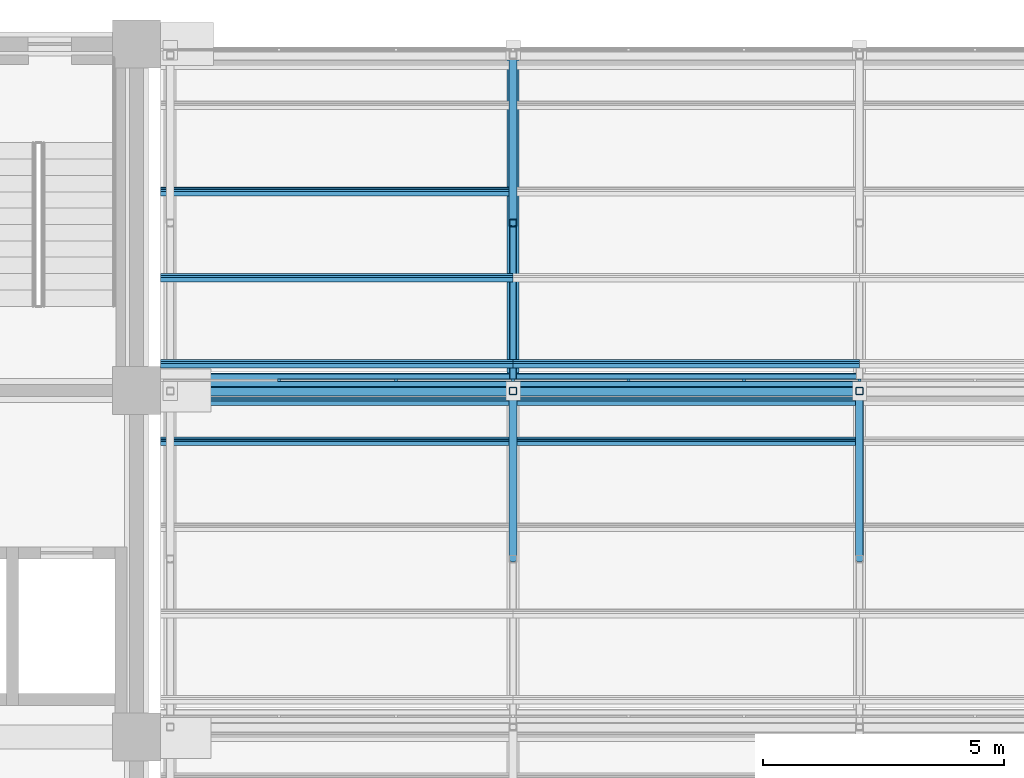
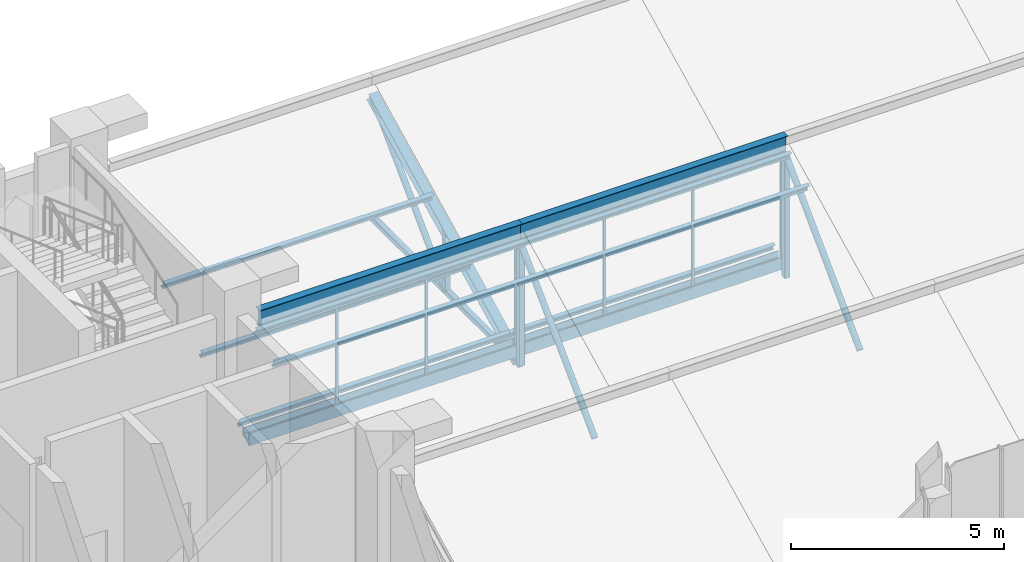
# One storey, part 37 of 83: 31 members, 3 elements without a shape of their own.
"""IFC4 building model written with IfcOpenShell, lengths in metres."""

from ifc_helpers import new_model, si_unit, direction, frame, origin, origin_2d, place, context, subcontext, project, spatial, polyline, rectangle, hollow_rectangle, hollow_circle, i_section, outline, extrude, material, material_profile, profile_set, type_object, element, aggregate, save


model = new_model("IFC4")

# Units and contexts
model_context = context("Model", 3, precision=1e-05, world=origin(), true_north=direction((0.0, 1.0)))
body_context = subcontext(model_context, "Body", "Model", "MODEL_VIEW")
ifc_project = project(units=[si_unit("LENGTHUNIT", "METRE"), si_unit("AREAUNIT", "SQUARE_METRE"), si_unit("VOLUMEUNIT", "CUBIC_METRE"), si_unit("PLANEANGLEUNIT", "RADIAN"), si_unit("MASSUNIT", "GRAM", prefix="KILO")], contexts=[model_context])

# Site, building, storey
site_placement = place(None, origin())
site = spatial("IfcSite", under=ifc_project, at=site_placement, CompositionType="ELEMENT")
building_placement = place(site_placement, origin())
building = spatial("IfcBuilding", under=site, at=building_placement, Name="Silangan Lancet Faculty of Sciences", CompositionType="ELEMENT")
storey_placement = place(building_placement, frame((0.0, 0.0, 11.39990234375)))
storey = spatial("IfcBuildingStorey", under=building, at=storey_placement, Name="L02", CompositionType="ELEMENT", Elevation=11.39990234375)

# Members
ifc_material_1 = material(Name="Steel SS400", Category="steel")
ifc_material_profile_1 = material_profile(ifc_material_1, i_section(OverallWidth=0.199951171875, OverallDepth=0.5, WebThickness=0.010009765625, FlangeThickness=0.01611328125, FilletRadius=0.02001953125, at=origin_2d()), Name="H 500x200x10x16")
ifc_profile_set_1 = profile_set([ifc_material_profile_1], Name="Steel SS400")
member_type_1 = type_object("IfcMemberType", Name="Exposed ridge beam H 500x200x10x16", PredefinedType="MEMBER", material=ifc_profile_set_1)
member_1_placement = place(storey_placement, frame((29.5, 50.38818359375, 3.942626953125), z_axis=(1.0, 0.0, 0.0), x_axis=(0.0, 1.0, 0.0)))
element("IfcMember", 1, at=member_1_placement, inside=storey, type_object=member_type_1, Name="Exposed ridge beam NAB-2-1", PredefinedType="MEMBER", context=body_context, shape_type="SweptSolid", body=[
    extrude(i_section(OverallWidth=0.199951171875, OverallDepth=0.5, WebThickness=0.010009765625, FlangeThickness=0.01611328125, FilletRadius=0.02001953125, at=origin_2d()), origin(), (0.0, 0.0, 1.0), 7.125),
])
member_2_placement = place(storey_placement, frame((36.625, 50.38818359375, 3.942626953125), z_axis=(1.0, 0.0, 0.0), x_axis=(0.0, 1.0, 0.0)))
element("IfcMember", 2, at=member_2_placement, inside=storey, type_object=member_type_1, Name="Exposed ridge beam NAB-2-2", PredefinedType="MEMBER", context=body_context, shape_type="SweptSolid", body=[
    extrude(i_section(OverallWidth=0.199951171875, OverallDepth=0.5, WebThickness=0.010009765625, FlangeThickness=0.01611328125, FilletRadius=0.02001953125, at=origin_2d()), origin(), (0.0, 0.0, 1.0), 7.199951171875),
])

# Curtain wall, members
ifc_material_2 = material(Name="Aluminium and laminated glass", Category="aluminium")
curtain_wall_type = type_object("IfcCurtainWallType", Name="North light glazing system", PredefinedType="NOTDEFINED", material=ifc_material_2)
curtain_wall_1_placement = place(storey_placement, origin())
curtain_wall_1 = element("IfcCurtainWall", 3, at=curtain_wall_1_placement, inside=storey, type_object=curtain_wall_type, Name="North light glazing NAB-2-1", PredefinedType="NOTDEFINED")
ifc_material_3 = material(Name="Aluminium 6063-T6", Category="aluminium")
ifc_material_profile_2 = material_profile(ifc_material_3, rectangle(XDim=0.06005859375, YDim=0.050048828125, at=origin_2d()), Name="AL 60x50")
ifc_profile_set_2 = profile_set([ifc_material_profile_2], Name="Aluminium 6063-T6")
member_type_2 = type_object("IfcMemberType", Name="North light mullion 60x50", PredefinedType="MULLION", material=ifc_profile_set_2)
member_3_placement = place(storey_placement, frame((31.76171875, 50.61328125, 0.4423828125), z_axis=(0.0, 0.0, 1.0), x_axis=(1.0, 0.0, 0.0)))
member_3 = element("IfcMember", 4, at=member_3_placement, type_object=member_type_2, Name="North light mullion NAB-2-1 2", PredefinedType="MULLION", context=body_context, shape_type="SweptSolid", body=[
    extrude(rectangle(XDim=0.06005859375, YDim=0.050048828125, at=origin_2d()), origin(), (0.0, 0.0, 1.0), 3.60595703125),
])
member_4_placement = place(storey_placement, frame((34.193359375, 50.61328125, 0.4423828125), z_axis=(0.0, 0.0, 1.0), x_axis=(1.0, 0.0, 0.0)))
member_4 = element("IfcMember", 5, at=member_4_placement, type_object=member_type_2, Name="North light mullion NAB-2-1 3", PredefinedType="MULLION", context=body_context, shape_type="SweptSolid", body=[
    extrude(rectangle(XDim=0.06005859375, YDim=0.050048828125, at=origin_2d()), origin(), (0.0, 0.0, 1.0), 3.60595703125),
])

curtain_wall_2_placement = place(storey_placement, origin())
curtain_wall_2 = element("IfcCurtainWall", 6, at=curtain_wall_2_placement, inside=storey, type_object=curtain_wall_type, Name="North light glazing NAB-2-2", PredefinedType="NOTDEFINED")
member_5_placement = place(storey_placement, frame((36.625, 50.61328125, 0.4423828125), z_axis=(0.0, 0.0, 1.0), x_axis=(1.0, 0.0, 0.0)))
member_5 = element("IfcMember", 7, at=member_5_placement, type_object=member_type_2, Name="North light mullion NAB-2-2 1", PredefinedType="MULLION", context=body_context, shape_type="SweptSolid", body=[
    extrude(rectangle(XDim=0.06005859375, YDim=0.050048828125, at=origin_2d()), origin(), (0.0, 0.0, 1.0), 3.60595703125),
])
member_6_placement = place(storey_placement, frame((39.02490234375, 50.61328125, 0.4423828125), z_axis=(0.0, 0.0, 1.0), x_axis=(1.0, 0.0, 0.0)))
member_6 = element("IfcMember", 8, at=member_6_placement, type_object=member_type_2, Name="North light mullion NAB-2-2 2", PredefinedType="MULLION", context=body_context, shape_type="SweptSolid", body=[
    extrude(rectangle(XDim=0.06005859375, YDim=0.050048828125, at=origin_2d()), origin(), (0.0, 0.0, 1.0), 3.60595703125),
])
member_7_placement = place(storey_placement, frame((41.425048828125, 50.61328125, 0.4423828125), z_axis=(0.0, 0.0, 1.0), x_axis=(1.0, 0.0, 0.0)))
member_7 = element("IfcMember", 9, at=member_7_placement, type_object=member_type_2, Name="North light mullion NAB-2-2 3", PredefinedType="MULLION", context=body_context, shape_type="SweptSolid", body=[
    extrude(rectangle(XDim=0.06005859375, YDim=0.050048828125, at=origin_2d()), origin(), (0.0, 0.0, 1.0), 3.60595703125),
])

# Curtain wall, member
curtain_wall_3_placement = place(storey_placement, origin())
curtain_wall_3 = element("IfcCurtainWall", 10, at=curtain_wall_3_placement, inside=storey, type_object=curtain_wall_type, Name="North light glazing NAB-2-3", PredefinedType="NOTDEFINED")
member_8_placement = place(storey_placement, frame((43.824951171875, 50.61328125, 0.4423828125), z_axis=(0.0, 0.0, 1.0), x_axis=(1.0, 0.0, 0.0)))
member_8 = element("IfcMember", 11, at=member_8_placement, type_object=member_type_2, Name="North light mullion NAB-2-3 1", PredefinedType="MULLION", context=body_context, shape_type="SweptSolid", body=[
    extrude(rectangle(XDim=0.06005859375, YDim=0.050048828125, at=origin_2d()), origin(), (0.0, 0.0, 1.0), 3.60595703125),
])
aggregate(curtain_wall_3, [member_8])

# Member
ifc_material_4 = material(Name="Aluminium 6063-T6", Category="aluminium")
ifc_material_profile_3 = material_profile(ifc_material_4, rectangle(XDim=0.050048828125, YDim=0.06005859375, at=origin_2d()), Name="AL 50x60")
ifc_profile_set_3 = profile_set([ifc_material_profile_3], Name="Aluminium 6063-T6")
member_type_3 = type_object("IfcMemberType", Name="North light transom 50x60", PredefinedType="USERDEFINED", material=ifc_profile_set_3)
member_9_placement = place(storey_placement, frame((31.791748046875, 50.61328125, 2.245361328125), z_axis=(1.0, 0.0, 0.0), x_axis=(0.0, 1.0, 0.0)))
member_9 = element("IfcMember", 12, at=member_9_placement, type_object=member_type_3, Name="North light transom NAB-2-1 2", ObjectType="TRANSOM", PredefinedType="USERDEFINED", context=body_context, shape_type="SweptSolid", body=[
    extrude(rectangle(XDim=0.050048828125, YDim=0.06005859375, at=origin_2d()), origin(), (0.0, 0.0, 1.0), 2.37158203125),
])

member_10_placement = place(storey_placement, frame((34.223388671875, 50.61328125, 2.245361328125), z_axis=(1.0, 0.0, 0.0), x_axis=(0.0, 1.0, 0.0)))
member_10 = element("IfcMember", 13, at=member_10_placement, type_object=member_type_3, Name="North light transom NAB-2-1 3", ObjectType="TRANSOM", PredefinedType="USERDEFINED", context=body_context, shape_type="SweptSolid", body=[
    extrude(rectangle(XDim=0.050048828125, YDim=0.06005859375, at=origin_2d()), origin(), (0.0, 0.0, 1.0), 2.37158203125),
])

aggregate(curtain_wall_1, [member_3, member_4, member_9, member_10])

member_11_placement = place(storey_placement, frame((36.655029296875, 50.61328125, 2.245361328125), z_axis=(1.0, 0.0, 0.0), x_axis=(0.0, 1.0, 0.0)))
member_11 = element("IfcMember", 14, at=member_11_placement, type_object=member_type_3, Name="North light transom NAB-2-2 1", ObjectType="TRANSOM", PredefinedType="USERDEFINED", context=body_context, shape_type="SweptSolid", body=[
    extrude(rectangle(XDim=0.050048828125, YDim=0.06005859375, at=origin_2d()), origin(), (0.0, 0.0, 1.0), 2.340087890625),
])

member_12_placement = place(storey_placement, frame((39.054931640625, 50.61328125, 2.245361328125), z_axis=(1.0, 0.0, 0.0), x_axis=(0.0, 1.0, 0.0)))
member_12 = element("IfcMember", 15, at=member_12_placement, type_object=member_type_3, Name="North light transom NAB-2-2 2", ObjectType="TRANSOM", PredefinedType="USERDEFINED", context=body_context, shape_type="SweptSolid", body=[
    extrude(rectangle(XDim=0.050048828125, YDim=0.06005859375, at=origin_2d()), origin(), (0.0, 0.0, 1.0), 2.340087890625),
])

member_13_placement = place(storey_placement, frame((41.455078125, 50.61328125, 2.245361328125), z_axis=(1.0, 0.0, 0.0), x_axis=(0.0, 1.0, 0.0)))
member_13 = element("IfcMember", 16, at=member_13_placement, type_object=member_type_3, Name="North light transom NAB-2-2 3", ObjectType="TRANSOM", PredefinedType="USERDEFINED", context=body_context, shape_type="SweptSolid", body=[
    extrude(rectangle(XDim=0.050048828125, YDim=0.06005859375, at=origin_2d()), origin(), (0.0, 0.0, 1.0), 2.33984375),
])

aggregate(curtain_wall_2, [member_5, member_6, member_7, member_11, member_12, member_13])

# Members
ifc_material_5 = material(Name="Steel SS400", Category="steel")
ifc_material_profile_4 = material_profile(ifc_material_5, i_section(OverallWidth=0.10009765625, OverallDepth=0.199951171875, WebThickness=0.005615234375, FlangeThickness=0.008056640625, FilletRadius=0.008056640625, at=origin_2d()), Name="H 200x100x5.5x8")
ifc_profile_set_4 = profile_set([ifc_material_profile_4], Name="Steel SS400")
member_type_4 = type_object("IfcMemberType", Name="Sheeting purlin H 200x100x5.5x8", PredefinedType="PURLIN", material=ifc_profile_set_4)
for number, where, z_axis, x_axis, name in (
    (17, (29.300048828125, 49.343505859375, 3.31494140625), (1.0, 0.0, 0.0), (0.0, 0.894427192382, 0.447213592736), "Sheeting purlin NAB-2-1 4"),
    (18, (29.300048828125, 50.180419921875, 3.7333984375), (1.0, 0.0, 0.0), (0.0, 0.894427192382, 0.447213592736), "Sheeting purlin NAB-2-1 5"),
    (19, (29.300048828125, 50.95849609375, 0.6318359375), (1.0, 0.0, 0.0), (0.0, 0.894427192382, 0.447213592736), "Sheeting purlin NAB-3-1 1"),
    (20, (29.300048828125, 52.747314453125, 1.526123046875), (1.0, 0.0, 0.0), (0.0, 0.894427192382, 0.447213592736), "Sheeting purlin NAB-3-1 2"),
    (21, (29.300048828125, 54.5361328125, 2.420654296875), (1.0, 0.0, 0.0), (0.0, 0.894427192382, 0.447213592736), "Sheeting purlin NAB-3-1 3"),
):
    element("IfcMember", number, at=place(storey_placement, frame(where, z_axis=z_axis, x_axis=x_axis)), inside=storey, type_object=member_type_4, Name=name, PredefinedType="PURLIN", context=body_context, shape_type="SweptSolid", body=[
        extrude(i_section(OverallWidth=0.10009765625, OverallDepth=0.199951171875, WebThickness=0.005615234375, FlangeThickness=0.008056640625, FilletRadius=0.008056640625, at=origin_2d()), origin(), (0.0, 0.0, 1.0), 7.324951171875),
    ])
for number, where, z_axis, x_axis, name in (
    (22, (36.625, 49.343505859375, 3.31494140625), (1.0, 0.0, 0.0), (0.0, 0.894427192382, 0.447213592736), "Sheeting purlin NAB-2-2 4"),
    (23, (36.625, 50.180419921875, 3.7333984375), (1.0, 0.0, 0.0), (0.0, 0.894427192382, 0.447213592736), "Sheeting purlin NAB-2-2 5"),
    (24, (36.625, 50.95849609375, 0.6318359375), (1.0, 0.0, 0.0), (0.0, 0.894427192382, 0.447213592736), "Sheeting purlin NAB-3-2 1"),
):
    element("IfcMember", number, at=place(storey_placement, frame(where, z_axis=z_axis, x_axis=x_axis)), inside=storey, type_object=member_type_4, Name=name, PredefinedType="PURLIN", context=body_context, shape_type="SweptSolid", body=[
        extrude(i_section(OverallWidth=0.10009765625, OverallDepth=0.199951171875, WebThickness=0.005615234375, FlangeThickness=0.008056640625, FilletRadius=0.008056640625, at=origin_2d()), origin(), (0.0, 0.0, 1.0), 7.199951171875),
    ])
ifc_material_6 = material(Name="Steel STKR400", Category="steel")
ifc_material_profile_5 = material_profile(ifc_material_6, hollow_rectangle(XDim=0.14990234375, YDim=0.14990234375, WallThickness=0.009033203125, InnerFilletRadius=0.009033203125, OuterFilletRadius=0.01806640625, at=origin_2d()), Name="SHS 150x150x9.0")
ifc_profile_set_5 = profile_set([ifc_material_profile_5], Name="Steel STKR400")
member_type_5 = type_object("IfcMemberType", Name="Truss bottom chord SHS 150x150x9.0", PredefinedType="CHORD", material=ifc_profile_set_5)
member_14_placement = place(storey_placement, frame((36.625, 50.38818359375, 0.09521484375), z_axis=(0.0, 1.0, 0.0), x_axis=(-1.0, 0.0, 0.0)))
element("IfcMember", 25, at=member_14_placement, inside=storey, type_object=member_type_5, Name="Truss 2 bottom chord 3", PredefinedType="CHORD", context=body_context, shape_type="SweptSolid", body=[
    extrude(hollow_rectangle(XDim=0.14990234375, YDim=0.14990234375, WallThickness=0.009033203125, InnerFilletRadius=0.009033203125, OuterFilletRadius=0.01806640625, at=origin_2d()), origin(), (0.0, 0.0, 1.0), 6.98193359375),
])
ifc_material_7 = material(Name="Steel STK400", Category="steel")
ifc_material_profile_6 = material_profile(ifc_material_7, hollow_circle(Radius=0.08251953125, WallThickness=0.0048828125, at=origin_2d()), Name="CHS 165.2x5.0")
ifc_profile_set_6 = profile_set([ifc_material_profile_6], Name="Steel STK400")
member_type_6 = type_object("IfcMemberType", Name="Truss diagonal CHS 165.2x5.0", PredefinedType="BRACE", material=ifc_profile_set_6)
member_15_placement = place(storey_placement, frame((36.625, 46.8974609375, 0.09521484375), z_axis=(0.0, 0.707106781187, 0.707106781187), x_axis=(-1.0, 0.0, 0.0)))
element("IfcMember", 26, at=member_15_placement, inside=storey, type_object=member_type_6, Name="Truss 2 diagonal 2", PredefinedType="BRACE", context=body_context, shape_type="SweptSolid", body=[
    extrude(hollow_circle(Radius=0.08251953125, WallThickness=0.0048828125, at=origin_2d()), origin(), (0.0, 0.0, 1.0), 4.9365234375),
])
member_16_placement = place(storey_placement, frame((36.625, 53.879150390625, 0.09521484375), z_axis=(0.0, 0.707131507361, 0.707082054147), x_axis=(-1.0, 0.0, 0.0)))
element("IfcMember", 27, at=member_16_placement, inside=storey, type_object=member_type_6, Name="Truss 2 diagonal 3", PredefinedType="BRACE", context=body_context, shape_type="SweptSolid", body=[
    extrude(hollow_circle(Radius=0.08251953125, WallThickness=0.0048828125, at=origin_2d()), origin(), (0.0, 0.0, 1.0), 4.936767578125),
])
member_17_placement = place(storey_placement, frame((43.824951171875, 46.8974609375, 0.09521484375), z_axis=(0.0, 0.707106781187, 0.707106781187), x_axis=(-1.0, 0.0, 0.0)))
element("IfcMember", 28, at=member_17_placement, inside=storey, type_object=member_type_6, Name="Truss 3 diagonal 2", PredefinedType="BRACE", context=body_context, shape_type="SweptSolid", body=[
    extrude(hollow_circle(Radius=0.08251953125, WallThickness=0.0048828125, at=origin_2d()), origin(), (0.0, 0.0, 1.0), 4.9365234375),
])
ifc_material_8 = material(Name="Steel STKR400", Category="steel")
ifc_material_profile_7 = material_profile(ifc_material_8, hollow_rectangle(XDim=0.14990234375, YDim=0.14990234375, WallThickness=0.006103515625, InnerFilletRadius=0.006103515625, OuterFilletRadius=0.011962890625, at=origin_2d()), Name="SHS 150x150x6.0")
ifc_profile_set_7 = profile_set([ifc_material_profile_7], Name="Steel STKR400")
member_type_7 = type_object("IfcMemberType", Name="Truss post SHS 150x150x6.0", PredefinedType="POST", material=ifc_profile_set_7)
member_18_placement = place(storey_placement, frame((36.625, 50.38818359375, 0.09521484375), z_axis=(0.0, 0.0, 1.0), x_axis=(1.0, 0.0, 0.0)))
element("IfcMember", 29, at=member_18_placement, inside=storey, type_object=member_type_7, Name="Truss 2 riser post 2", PredefinedType="POST", context=body_context, shape_type="SweptSolid", body=[
    extrude(hollow_rectangle(XDim=0.14990234375, YDim=0.14990234375, WallThickness=0.006103515625, InnerFilletRadius=0.006103515625, OuterFilletRadius=0.011962890625, at=origin_2d()), origin(), (0.0, 0.0, 1.0), 3.49072265625),
])
member_19_placement = place(storey_placement, frame((36.625, 53.879150390625, 0.09521484375), z_axis=(0.0, 0.0, 1.0), x_axis=(1.0, 0.0, 0.0)))
element("IfcMember", 30, at=member_19_placement, inside=storey, type_object=member_type_7, Name="Truss 2 mid post 3", PredefinedType="POST", context=body_context, shape_type="SweptSolid", body=[
    extrude(hollow_rectangle(XDim=0.14990234375, YDim=0.14990234375, WallThickness=0.006103515625, InnerFilletRadius=0.006103515625, OuterFilletRadius=0.011962890625, at=origin_2d()), origin(), (0.0, 0.0, 1.0), 1.745361328125),
])
member_20_placement = place(storey_placement, frame((43.824951171875, 50.38818359375, 0.09521484375), z_axis=(0.0, 0.0, 1.0), x_axis=(1.0, 0.0, 0.0)))
element("IfcMember", 31, at=member_20_placement, inside=storey, type_object=member_type_7, Name="Truss 3 riser post 2", PredefinedType="POST", context=body_context, shape_type="SweptSolid", body=[
    extrude(hollow_rectangle(XDim=0.14990234375, YDim=0.14990234375, WallThickness=0.006103515625, InnerFilletRadius=0.006103515625, OuterFilletRadius=0.011962890625, at=origin_2d()), origin(), (0.0, 0.0, 1.0), 3.49072265625),
])
ifc_material_9 = material(Name="Steel SS400", Category="steel")
ifc_material_profile_8 = material_profile(ifc_material_9, i_section(OverallWidth=0.25, OverallDepth=0.25, WebThickness=0.009033203125, FlangeThickness=0.013916015625, FilletRadius=0.01611328125, at=origin_2d()), Name="H 250x250x9x14")
ifc_profile_set_8 = profile_set([ifc_material_profile_8], Name="Steel SS400")
member_type_8 = type_object("IfcMemberType", Name="Truss top chord H 250x250x9x14", PredefinedType="CHORD", material=ifc_profile_set_8)
member_21_placement = place(storey_placement, frame((36.625, 50.46875, 0.13525390625), z_axis=(0.0, 0.894427191, 0.4472135955), x_axis=(-1.0, 0.0, 0.0)))
element("IfcMember", 32, at=member_21_placement, inside=storey, type_object=member_type_8, Name="Truss 2 top chord 3", PredefinedType="CHORD", context=body_context, shape_type="SweptSolid", body=[
    extrude(i_section(OverallWidth=0.25, OverallDepth=0.25, WebThickness=0.009033203125, FlangeThickness=0.013916015625, FilletRadius=0.01611328125, at=origin_2d()), origin(), (0.0, 0.0, 1.0), 7.716064453125),
])
ifc_material_10 = material(Name="Stainless steel", Category="steel")
ifc_material_profile_9 = material_profile(ifc_material_10, outline(polyline([(-0.14990234375, 0.0), (0.14990234375, 0.14990234375), (0.14990234375, 0.35009765625), (0.1298828125, 0.35009765625), (0.1298828125, 0.169921875), (-0.1298828125, 0.169921875), (-0.1298828125, 0.35009765625), (-0.14990234375, 0.35009765625), (-0.14990234375, 0.0)])), Name="valley gutter")
ifc_profile_set_9 = profile_set([ifc_material_profile_9], Name="Stainless steel")
member_type_9 = type_object("IfcMemberType", Name="Valley gutter 300 wide", PredefinedType="USERDEFINED", material=ifc_profile_set_9)
member_22_placement = place(storey_placement, frame((29.300048828125, 50.61328125, 0.2724609375), z_axis=(1.0, 0.0, 0.0), x_axis=(0.0, 1.0, 0.0)))
element("IfcMember", 33, at=member_22_placement, inside=storey, type_object=member_type_9, Name="Valley gutter NAB-3-1", ObjectType="GUTTER", PredefinedType="USERDEFINED", context=body_context, shape_type="SweptSolid", body=[
    extrude(outline(polyline([(-0.14990234375, 0.0), (0.14990234375, 0.14990234375), (0.14990234375, 0.35009765625), (0.1298828125, 0.35009765625), (0.1298828125, 0.169921875), (-0.1298828125, 0.169921875), (-0.1298828125, 0.35009765625), (-0.14990234375, 0.35009765625), (-0.14990234375, 0.0)])), origin(), (0.0, 0.0, 1.0), 7.324951171875),
])
member_23_placement = place(storey_placement, frame((36.625, 50.61328125, 0.2724609375), z_axis=(1.0, 0.0, 0.0), x_axis=(0.0, 1.0, 0.0)))
element("IfcMember", 34, at=member_23_placement, inside=storey, type_object=member_type_9, Name="Valley gutter NAB-3-2", ObjectType="GUTTER", PredefinedType="USERDEFINED", context=body_context, shape_type="SweptSolid", body=[
    extrude(outline(polyline([(-0.14990234375, 0.0), (0.14990234375, 0.14990234375), (0.14990234375, 0.35009765625), (0.1298828125, 0.35009765625), (0.1298828125, 0.169921875), (-0.1298828125, 0.169921875), (-0.1298828125, 0.35009765625), (-0.14990234375, 0.35009765625), (-0.14990234375, 0.0)])), origin(), (0.0, 0.0, 1.0), 7.199951171875),
])

save(model, "model.ifc")
